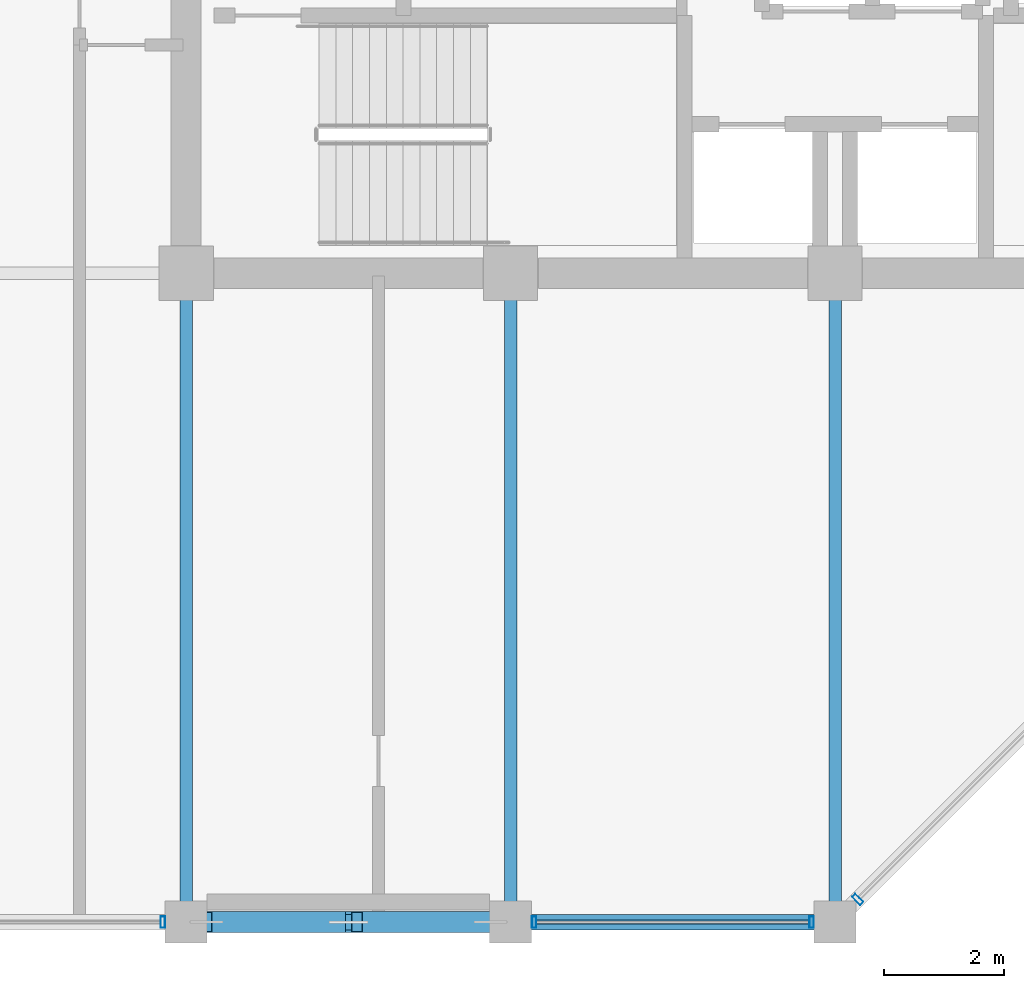
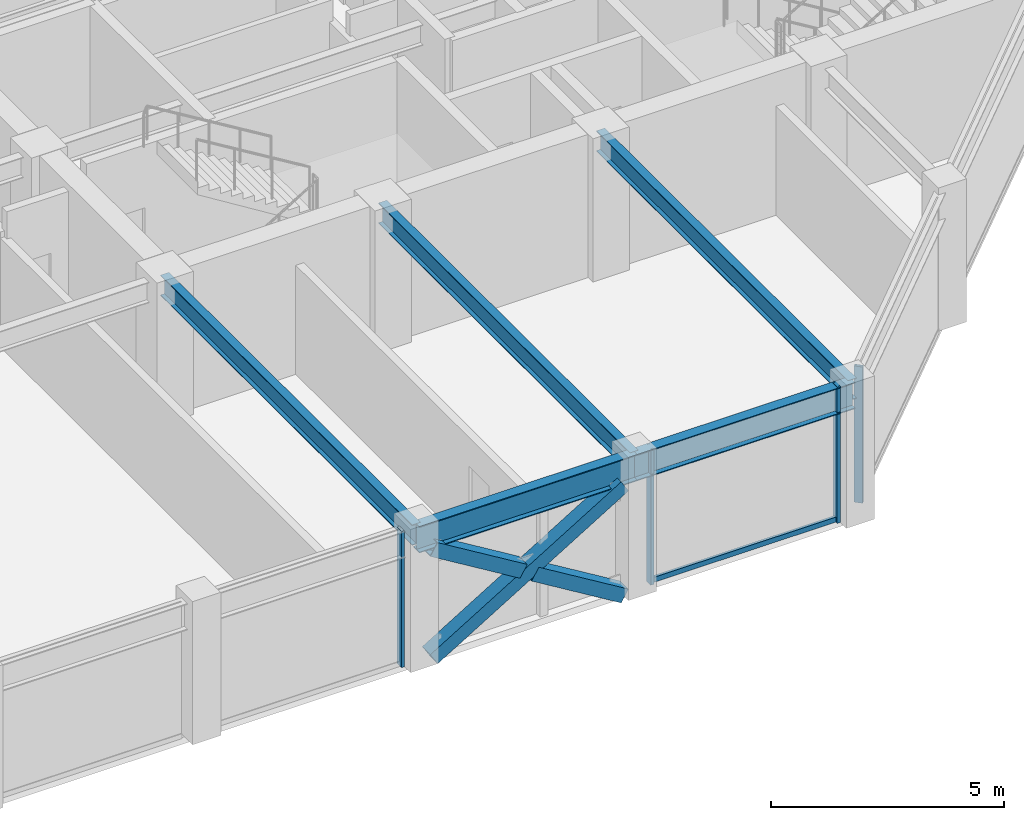
# One storey, part 4 of 31: 8 members, 5 beams, 3 elements without a shape of their own.
"""IFC4 building model written with IfcOpenShell, lengths in metres."""

from ifc_helpers import new_model, si_unit, direction, frame, origin, origin_2d, place, context, subcontext, project, spatial, hollow_rectangle, i_section, extrude, material, layer, layer_set, material_profile, profile_set, type_object, element, aggregate, save


model = new_model("IFC4")

# Units and contexts
model_context = context("Model", 3, precision=1e-05, world=origin(), true_north=direction((0.0, 1.0)))
body_context = subcontext(model_context, "Body", "Model", "MODEL_VIEW")
ifc_project = project(units=[si_unit("LENGTHUNIT", "METRE"), si_unit("AREAUNIT", "SQUARE_METRE"), si_unit("VOLUMEUNIT", "CUBIC_METRE"), si_unit("PLANEANGLEUNIT", "RADIAN"), si_unit("MASSUNIT", "GRAM", prefix="KILO")], contexts=[model_context])

# Site, building, storey
site_placement = place(None, origin())
site = spatial("IfcSite", under=ifc_project, at=site_placement, CompositionType="ELEMENT")
building_placement = place(site_placement, origin())
building = spatial("IfcBuilding", under=site, at=building_placement, Name="Surkhivell Harbour Commons", CompositionType="ELEMENT")
storey_placement = place(building_placement, frame((0.0, 0.0, 318.75)))
storey = spatial("IfcBuildingStorey", under=building, at=storey_placement, Name="L83", CompositionType="ELEMENT", Elevation=318.75)

# Beams
ifc_material_1 = material(Name="Steel S355", Category="steel")
ifc_material_profile_1 = material_profile(ifc_material_1, i_section(OverallWidth=0.2099609375, OverallDepth=0.537109375, WebThickness=0.0107421875, FlangeThickness=0.017333984375, at=origin_2d()), Name="UB533x210x101")
ifc_profile_set_1 = profile_set([ifc_material_profile_1], Name="Steel S355")
beam_type_1 = type_object("IfcBeamType", Name="BM-GRD-533B", PredefinedType="BEAM", material=ifc_profile_set_1)
for number, where, z_axis, x_axis, name in (
    (1, (-10.800048828125, -21.60009765625, 3.301513671875), (0.0, 1.0, 0.0), (-1.0, 0.0, 0.0), "L83 Floor Girder (-10.8,-21.6)"),
    (2, (-5.39990234375, -21.60009765625, 3.301513671875), (0.0, 1.0, 0.0), (-1.0, 0.0, 0.0), "L83 Floor Girder (-5.4,-21.6)"),
    (3, (0.0, -21.60009765625, 3.301513671875), (0.0, 1.0, 0.0), (-1.0, 0.0, 0.0), "L83 Floor Girder (0.0,-21.6)"),
):
    element("IfcBeam", number, at=place(storey_placement, frame(where, z_axis=z_axis, x_axis=x_axis)), inside=storey, type_object=beam_type_1, Name=name, PredefinedType="BEAM", context=body_context, shape_type="SweptSolid", body=[
        extrude(i_section(OverallWidth=0.2099609375, OverallDepth=0.537109375, WebThickness=0.0107421875, FlangeThickness=0.017333984375, at=origin_2d()), origin(), (0.0, 0.0, 1.0), 10.800048828125),
    ])
ifc_material_profile_2 = material_profile(ifc_material_1, i_section(OverallWidth=0.256103515625, OverallDepth=0.693115234375, WebThickness=0.014404296875, FlangeThickness=0.023681640625, at=origin_2d()), Name="UB686x254x170")
ifc_profile_set_2 = profile_set([ifc_material_profile_2], Name="Steel S355")
beam_type_2 = type_object("IfcBeamType", Name="BM-SPN-686", PredefinedType="SPANDREL", material=ifc_profile_set_2)
beam_1_placement = place(storey_placement, frame((-10.800048828125, -21.60009765625, 3.223388671875), z_axis=(1.0, 0.0, 0.0), x_axis=(0.0, 1.0, 0.0)))
element("IfcBeam", 4, at=beam_1_placement, inside=storey, type_object=beam_type_2, Name="L83 Tube Spandrel (-10.8,-21.6)", PredefinedType="SPANDREL", context=body_context, shape_type="SweptSolid", body=[
    extrude(i_section(OverallWidth=0.256103515625, OverallDepth=0.693115234375, WebThickness=0.014404296875, FlangeThickness=0.023681640625, at=origin_2d()), origin(), (0.0, 0.0, 1.0), 5.400146484375),
])
beam_2_placement = place(storey_placement, frame((-5.39990234375, -21.60009765625, 3.223388671875), z_axis=(1.0, 0.0, 0.0), x_axis=(0.0, 1.0, 0.0)))
element("IfcBeam", 5, at=beam_2_placement, inside=storey, type_object=beam_type_2, Name="L83 Tube Spandrel (-5.4,-21.6)", PredefinedType="SPANDREL", context=body_context, shape_type="SweptSolid", body=[
    extrude(i_section(OverallWidth=0.256103515625, OverallDepth=0.693115234375, WebThickness=0.014404296875, FlangeThickness=0.023681640625, at=origin_2d()), origin(), (0.0, 0.0, 1.0), 5.39990234375),
])

# Curtain wall, member
ifc_material_2 = material(Name="Anodised pale-metal aluminium and insulated glazing", Category="aluminium")
ifc_layer = layer(ifc_material_2, 0.175048828125)
ifc_layer_set = layer_set([ifc_layer], Name="Anodised pale-metal aluminium and insulated glazing")
curtain_wall_type = type_object("IfcCurtainWallType", Name="CW-SYS-Z4", PredefinedType="NOTDEFINED", material=ifc_layer_set)
curtain_wall_1_placement = place(storey_placement, origin())
curtain_wall_1 = element("IfcCurtainWall", 6, at=curtain_wall_1_placement, inside=storey, type_object=curtain_wall_type, Name="L83 Curtain Wall CW-L83-E00S1", PredefinedType="NOTDEFINED")
ifc_material_3 = material(Name="Anodised pale-metal aluminium alloy 6063-T6", Category="aluminium")
ifc_material_profile_3 = material_profile(ifc_material_3, hollow_rectangle(XDim=0.074951171875, YDim=0.18994140625, WallThickness=0.00390625, at=origin_2d()), Name="ALU-MULL-75x190")
ifc_profile_set_3 = profile_set([ifc_material_profile_3], Name="Anodised pale-metal aluminium alloy 6063-T6")
member_type_1 = type_object("IfcMemberType", Name="CWM-190", PredefinedType="MULLION", material=ifc_profile_set_3)
member_1_placement = place(storey_placement, frame((-11.189453125, -21.60009765625, 0.0), z_axis=(0.0, 0.0, 1.0), x_axis=(1.0, 0.0, 0.0)))
member_1 = element("IfcMember", 7, at=member_1_placement, type_object=member_type_1, Name="CW-Z4 mullion 3", PredefinedType="MULLION", context=body_context, shape_type="SweptSolid", body=[
    extrude(hollow_rectangle(XDim=0.074951171875, YDim=0.18994140625, WallThickness=0.00390625, at=origin_2d()), origin(), (0.0, 0.0, 1.0), 3.570068359375),
])
aggregate(curtain_wall_1, [member_1])

# Curtain wall, members
curtain_wall_2_placement = place(storey_placement, origin())
curtain_wall_2 = element("IfcCurtainWall", 8, at=curtain_wall_2_placement, inside=storey, type_object=curtain_wall_type, Name="L83 Curtain Wall CW-L83-E00S2", PredefinedType="NOTDEFINED")
member_2_placement = place(storey_placement, frame((-5.010498046875, -21.60009765625, 0.0), z_axis=(0.0, 0.0, 1.0), x_axis=(1.0, 0.0, 0.0)))
member_2 = element("IfcMember", 9, at=member_2_placement, type_object=member_type_1, Name="CW-Z4 mullion 1", PredefinedType="MULLION", context=body_context, shape_type="SweptSolid", body=[
    extrude(hollow_rectangle(XDim=0.074951171875, YDim=0.18994140625, WallThickness=0.00390625, at=origin_2d()), origin(), (0.0, 0.0, 1.0), 3.570068359375),
])
member_3_placement = place(storey_placement, frame((-0.389404296875, -21.60009765625, 0.0), z_axis=(0.0, 0.0, 1.0), x_axis=(1.0, 0.0, 0.0)))
member_3 = element("IfcMember", 10, at=member_3_placement, type_object=member_type_1, Name="CW-Z4 mullion 2", PredefinedType="MULLION", context=body_context, shape_type="SweptSolid", body=[
    extrude(hollow_rectangle(XDim=0.074951171875, YDim=0.18994140625, WallThickness=0.00390625, at=origin_2d()), origin(), (0.0, 0.0, 1.0), 3.570068359375),
])

# Curtain wall, member
curtain_wall_3_placement = place(storey_placement, origin())
curtain_wall_3 = element("IfcCurtainWall", 11, at=curtain_wall_3_placement, inside=storey, type_object=curtain_wall_type, Name="L83 Curtain Wall CW-L83-E01", PredefinedType="NOTDEFINED")
member_4_placement = place(storey_placement, frame((0.378173828125, -21.221923828125, 0.0), z_axis=(0.0, 0.0, 1.0), x_axis=(0.707106781187, 0.707106781187, 0.0)))
member_4 = element("IfcMember", 12, at=member_4_placement, type_object=member_type_1, Name="CW-Z4 mullion 1", PredefinedType="MULLION", context=body_context, shape_type="SweptSolid", body=[
    extrude(hollow_rectangle(XDim=0.074951171875, YDim=0.18994140625, WallThickness=0.00390625, at=origin_2d()), origin(), (0.0, 0.0, 1.0), 3.570068359375),
])
aggregate(curtain_wall_3, [member_4])

# Member
ifc_material_4 = material(Name="Champagne anodised aluminium alloy 6063-T6", Category="aluminium")
ifc_material_profile_4 = material_profile(ifc_material_4, hollow_rectangle(XDim=0.070068359375, YDim=0.1298828125, WallThickness=0.00341796875, at=origin_2d()), Name="ALU-TRAN-70x130")
ifc_profile_set_4 = profile_set([ifc_material_profile_4], Name="Champagne anodised aluminium alloy 6063-T6")
member_type_2 = type_object("IfcMemberType", Name="CWT-130", PredefinedType="USERDEFINED", material=ifc_profile_set_4)
member_5_placement = place(storey_placement, frame((-4.972900390625, -21.60009765625, 0.06494140625), z_axis=(1.0, 0.0, 0.0), x_axis=(0.0, 1.0, 0.0)))
member_5 = element("IfcMember", 13, at=member_5_placement, type_object=member_type_2, Name="CW-Z4 transom 1.1", ObjectType="TRANSOM", PredefinedType="USERDEFINED", context=body_context, shape_type="SweptSolid", body=[
    extrude(hollow_rectangle(XDim=0.070068359375, YDim=0.1298828125, WallThickness=0.00341796875, at=origin_2d()), origin(), (0.0, 0.0, 1.0), 4.5458984375),
])

aggregate(curtain_wall_2, [member_2, member_3, member_5])

# Members
ifc_material_profile_5 = material_profile(ifc_material_1, hollow_rectangle(XDim=0.35009765625, YDim=0.35009765625, WallThickness=0.01611328125, at=origin_2d()), Name="SHS350x350x16")
ifc_profile_set_5 = profile_set([ifc_material_profile_5], Name="Steel S355")
member_type_3 = type_object("IfcMemberType", Name="MEM-BRC-SHS350", PredefinedType="BRACE", material=ifc_profile_set_5)
member_6_placement = place(storey_placement, frame((-10.465087890625, -21.60009765625, 0.008056640625), z_axis=(0.854685454322, 0.0, 0.519146197299), x_axis=(0.0, 1.0, 0.0)))
element("IfcMember", 14, at=member_6_placement, inside=storey, type_object=member_type_3, Name="L83 Perimeter Mega-Brace MB- 07", PredefinedType="BRACE", context=body_context, shape_type="SweptSolid", body=[
    extrude(hollow_rectangle(XDim=0.35009765625, YDim=0.35009765625, WallThickness=0.01611328125, at=origin_2d()), origin(), (0.0, 0.0, 1.0), 5.5341796875),
])
member_7_placement = place(storey_placement, frame((-5.735107421875, -21.60009765625, 0.008056640625), z_axis=(-0.854653538862, 0.0, 0.519198737007), x_axis=(0.0, -1.0, 0.0)))
element("IfcMember", 15, at=member_7_placement, inside=storey, type_object=member_type_3, Name="L83 Perimeter Mega-Brace MB- 08", PredefinedType="BRACE", context=body_context, shape_type="SweptSolid", body=[
    extrude(hollow_rectangle(XDim=0.35009765625, YDim=0.35009765625, WallThickness=0.01611328125, at=origin_2d()), origin(), (0.0, 0.0, 1.0), 2.598876953125),
])
member_8_placement = place(storey_placement, frame((-8.24365234375, -21.60009765625, 1.53173828125), z_axis=(-0.854678858595, 0.0, 0.51915705588), x_axis=(0.0, -1.0, 0.0)))
element("IfcMember", 16, at=member_8_placement, inside=storey, type_object=member_type_3, Name="L83 Perimeter Mega-Brace MB- 09", PredefinedType="BRACE", context=body_context, shape_type="SweptSolid", body=[
    extrude(hollow_rectangle(XDim=0.35009765625, YDim=0.35009765625, WallThickness=0.01611328125, at=origin_2d()), origin(), (0.0, 0.0, 1.0), 2.59912109375),
])

save(model, "model.ifc")
